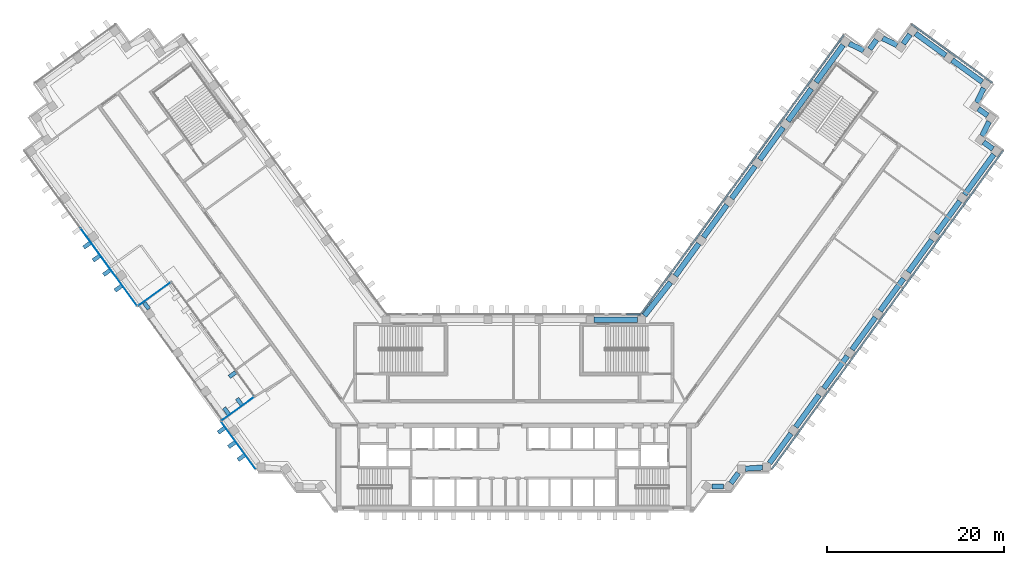
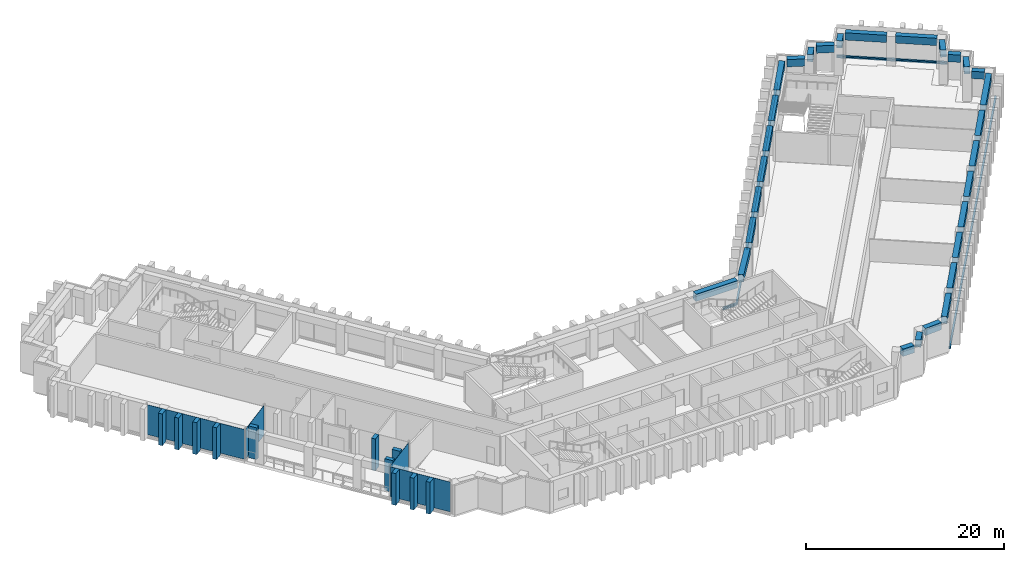
"""IFC4 building model written with IfcOpenShell, lengths in metres."""

from ifc_helpers import new_model, si_unit, direction, frame, origin, origin_2d, place, context, subcontext, project, spatial, rectangle, extrude, material, layer, layer_set, material_profile, profile_set, type_object, element, aggregate, save


model = new_model("IFC4")

# Units and contexts
model_context = context("Model", 3, precision=1e-05, world=origin(), true_north=direction((0.0, 1.0)))
body_context = subcontext(model_context, "Body", "Model", "MODEL_VIEW")
ifc_project = project(units=[si_unit("LENGTHUNIT", "METRE"), si_unit("AREAUNIT", "SQUARE_METRE"), si_unit("VOLUMEUNIT", "CUBIC_METRE"), si_unit("PLANEANGLEUNIT", "RADIAN"), si_unit("MASSUNIT", "GRAM", prefix="KILO")], contexts=[model_context])

# Site, building, storey
site_placement = place(None, origin())
site = spatial("IfcSite", under=ifc_project, at=site_placement, CompositionType="ELEMENT")
building_placement = place(site_placement, origin())
building = spatial("IfcBuilding", under=site, at=building_placement, Name="Quipu Civic Tower", CompositionType="ELEMENT")
storey_1_placement = place(building_placement, frame((0.0, 0.0, 55.0)))
storey_1 = spatial("IfcBuildingStorey", under=building, at=storey_1_placement, Name="L12", CompositionType="ELEMENT", Elevation=55.0)

# Beams
ifc_material_1 = material(Name="Concrete C50/60", Category="concrete")
ifc_material_profile_1 = material_profile(ifc_material_1, rectangle(XDim=0.60009765625, YDim=0.89990234375, at=origin_2d()), Name="RC600x900")
ifc_profile_set_1 = profile_set([ifc_material_profile_1], Name="Concrete C50/60")
beam_type = type_object("IfcBeamType", Name="Spandrel beam RC 600x900 C50/60", PredefinedType="SPANDREL", material=ifc_profile_set_1)
beam_1_placement = place(storey_1_placement, frame((22.34814453125, -8.31494140625, 3.199951171875), z_axis=(1.0, 0.0, 0.0), x_axis=(0.0, 1.0, 0.0)))
element("IfcBeam", 1, at=beam_1_placement, inside=storey_1, type_object=beam_type, Name="Spandrel beam L12 J-Eo.1 to J-Eo.2", PredefinedType="SPANDREL", context=body_context, shape_type="SweptSolid", body=[
    extrude(rectangle(XDim=0.60009765625, YDim=0.89990234375, at=origin_2d()), origin(), (0.0, 0.0, 1.0), 1.33056640625),
])
beam_2_placement = place(storey_1_placement, frame((24.499755859375, -7.951171875, 3.199951171875), z_axis=(0.588433824377, 0.808545381738, 0.0), x_axis=(-0.808545381738, 0.588433824377, 0.0)))
element("IfcBeam", 2, at=beam_2_placement, inside=storey_1, type_object=beam_type, Name="Spandrel beam L12 J-Eo.2 to J-Eo.3", PredefinedType="SPANDREL", context=body_context, shape_type="SweptSolid", body=[
    extrude(rectangle(XDim=0.60009765625, YDim=0.89990234375, at=origin_2d()), origin(), (0.0, 0.0, 1.0), 1.439697265625),
])
beam_3_placement = place(storey_1_placement, frame((26.12451171875, -6.304443359375, 3.199951171875), z_axis=(0.997365981169, 0.072533437859, 0.0), x_axis=(-0.072533437859, 0.997365981169, 0.0)))
element("IfcBeam", 3, at=beam_3_placement, inside=storey_1, type_object=beam_type, Name="Spandrel beam L12 J-Eo.3 to J-Eo.4", PredefinedType="SPANDREL", context=body_context, shape_type="SweptSolid", body=[
    extrude(rectangle(XDim=0.60009765625, YDim=0.89990234375, at=origin_2d()), origin(), (0.0, 0.0, 1.0), 1.95556640625),
])
beam_4_placement = place(storey_1_placement, frame((28.85205078125, -5.679931640625, 3.199951171875), z_axis=(0.587750565781, 0.809042194464, 0.0), x_axis=(-0.809042194464, 0.587750565781, 0.0)))
element("IfcBeam", 4, at=beam_4_placement, inside=storey_1, type_object=beam_type, Name="Spandrel beam L12 J-Eo.4 to E-OUT-01", PredefinedType="SPANDREL", context=body_context, shape_type="SweptSolid", body=[
    extrude(rectangle(XDim=0.60009765625, YDim=0.89990234375, at=origin_2d()), origin(), (0.0, 0.0, 1.0), 4.13720703125),
])
beam_5_placement = place(storey_1_placement, frame((31.812744140625, -1.604736328125, 3.199951171875), z_axis=(0.587778073121, 0.809022210299, 0.0), x_axis=(-0.809022210299, 0.587778073121, 0.0)))
element("IfcBeam", 5, at=beam_5_placement, inside=storey_1, type_object=beam_type, Name="Spandrel beam L12 E-OUT-01 to E-OUT-02", PredefinedType="SPANDREL", context=body_context, shape_type="SweptSolid", body=[
    extrude(rectangle(XDim=0.60009765625, YDim=0.89990234375, at=origin_2d()), origin(), (0.0, 0.0, 1.0), 4.5),
])
beam_6_placement = place(storey_1_placement, frame((34.98681640625, 2.76416015625, 3.199951171875), z_axis=(0.587803872688, 0.809003465539, 0.0), x_axis=(-0.809003465539, 0.587803872688, 0.0)))
element("IfcBeam", 6, at=beam_6_placement, inside=storey_1, type_object=beam_type, Name="Spandrel beam L12 E-OUT-02 to E-OUT-03", PredefinedType="SPANDREL", context=body_context, shape_type="SweptSolid", body=[
    extrude(rectangle(XDim=0.60009765625, YDim=0.89990234375, at=origin_2d()), origin(), (0.0, 0.0, 1.0), 4.499755859375),
])
for number, where, z_axis, x_axis, name in (
    (7, (38.160888671875, 7.1328125, 3.199951171875), (0.587778073121, 0.809022210299, 0.0), (-0.809022210299, 0.587778073121, 0.0), "Spandrel beam L12 E-OUT-03 to E-OUT-04"),
    (8, (41.3349609375, 11.50146484375, 3.199951171875), (0.587778073121, 0.809022210299, 0.0), (-0.809022210299, 0.587778073121, 0.0), "Spandrel beam L12 E-OUT-04 to E-OUT-05"),
):
    element("IfcBeam", number, at=place(storey_1_placement, frame(where, z_axis=z_axis, x_axis=x_axis)), inside=storey_1, type_object=beam_type, Name=name, PredefinedType="SPANDREL", context=body_context, shape_type="SweptSolid", body=[
        extrude(rectangle(XDim=0.60009765625, YDim=0.89990234375, at=origin_2d()), origin(), (0.0, 0.0, 1.0), 4.5),
    ])
beam_7_placement = place(storey_1_placement, frame((44.5087890625, 15.870361328125, 3.199951171875), z_axis=(0.587803872688, 0.809003465539, 0.0), x_axis=(-0.809003465539, 0.587803872688, 0.0)))
element("IfcBeam", 9, at=beam_7_placement, inside=storey_1, type_object=beam_type, Name="Spandrel beam L12 E-OUT-05 to E-OUT-06", PredefinedType="SPANDREL", context=body_context, shape_type="SweptSolid", body=[
    extrude(rectangle(XDim=0.60009765625, YDim=0.89990234375, at=origin_2d()), origin(), (0.0, 0.0, 1.0), 4.499755859375),
])
beam_8_placement = place(storey_1_placement, frame((47.682861328125, 20.23876953125, 3.199951171875), z_axis=(0.587778073121, 0.809022210299, 0.0), x_axis=(-0.809022210299, 0.587778073121, 0.0)))
element("IfcBeam", 10, at=beam_8_placement, inside=storey_1, type_object=beam_type, Name="Spandrel beam L12 E-OUT-06 to E-OUT-07", PredefinedType="SPANDREL", context=body_context, shape_type="SweptSolid", body=[
    extrude(rectangle(XDim=0.60009765625, YDim=0.89990234375, at=origin_2d()), origin(), (0.0, 0.0, 1.0), 4.5),
])
beam_9_placement = place(storey_1_placement, frame((50.85693359375, 24.607666015625, 3.199951171875), z_axis=(0.587772657145, 0.809026145135, 0.0), x_axis=(-0.809026145135, 0.587772657145, 0.0)))
element("IfcBeam", 11, at=beam_9_placement, inside=storey_1, type_object=beam_type, Name="Spandrel beam L12 E-OUT-07 to T-Eo.0-E50", PredefinedType="SPANDREL", context=body_context, shape_type="SweptSolid", body=[
    extrude(rectangle(XDim=0.60009765625, YDim=0.89990234375, at=origin_2d()), origin(), (0.0, 0.0, 1.0), 5.603271484375),
])
beam_10_placement = place(storey_1_placement, frame((54.051025390625, 29.769775390625, 3.199951171875), z_axis=(-0.808549242423, 0.588428519514, 0.0), x_axis=(-0.588428519514, -0.808549242423, 0.0)))
element("IfcBeam", 12, at=beam_10_placement, inside=storey_1, type_object=beam_type, Name="Spandrel beam L12 T-Eo.0-E50 to T-Eo.1-E50", PredefinedType="SPANDREL", context=body_context, shape_type="SweptSolid", body=[
    extrude(rectangle(XDim=0.60009765625, YDim=0.89990234375, at=origin_2d()), origin(), (0.0, 0.0, 1.0), 1.2998046875),
])
beam_11_placement = place(storey_1_placement, frame((52.83349609375, 31.21240234375, 3.199951171875), z_axis=(0.431446050156, 0.902138739776, 0.0), x_axis=(-0.902138739776, 0.431446050156, 0.0)))
element("IfcBeam", 13, at=beam_11_placement, inside=storey_1, type_object=beam_type, Name="Spandrel beam L12 T-Eo.1-E50 to T-Eo.2-E50", PredefinedType="SPANDREL", context=body_context, shape_type="SweptSolid", body=[
    extrude(rectangle(XDim=0.60009765625, YDim=0.89990234375, at=origin_2d()), origin(), (0.0, 0.0, 1.0), 1.828857421875),
])
beam_12_placement = place(storey_1_placement, frame((53.4560546875, 33.539794921875, 3.199951171875), z_axis=(-0.808509099783, 0.588483674853, 0.0), x_axis=(-0.588483674853, -0.808509099783, 0.0)))
element("IfcBeam", 14, at=beam_12_placement, inside=storey_1, type_object=beam_type, Name="Spandrel beam L12 T-Eo.2-E50 to T-Eo.3-E50", PredefinedType="SPANDREL", context=body_context, shape_type="SweptSolid", body=[
    extrude(rectangle(XDim=0.60009765625, YDim=0.89990234375, at=origin_2d()), origin(), (0.0, 0.0, 1.0), 1.302734375),
])
beam_13_placement = place(storey_1_placement, frame((52.23583984375, 34.984375, 3.199951171875), z_axis=(0.430166558323, 0.902749540072, 0.0), x_axis=(-0.902749540072, 0.430166558323, 0.0)))
element("IfcBeam", 15, at=beam_13_placement, inside=storey_1, type_object=beam_type, Name="Spandrel beam L12 T-Eo.3-E50 to T-Eo.4-E50", PredefinedType="SPANDREL", context=body_context, shape_type="SweptSolid", body=[
    extrude(rectangle(XDim=0.60009765625, YDim=0.89990234375, at=origin_2d()), origin(), (0.0, 0.0, 1.0), 1.830322265625),
])
beam_14_placement = place(storey_1_placement, frame((52.85595703125, 37.314453125, 3.199951171875), z_axis=(-0.808959834407, 0.587863918196, 0.0), x_axis=(-0.587863918196, -0.808959834407, 0.0)))
element("IfcBeam", 16, at=beam_14_placement, inside=storey_1, type_object=beam_type, Name="Spandrel beam L12 T-Eo.4-E50 to TIP-E-01-E50", PredefinedType="SPANDREL", context=body_context, shape_type="SweptSolid", body=[
    extrude(rectangle(XDim=0.60009765625, YDim=0.89990234375, at=origin_2d()), origin(), (0.0, 0.0, 1.0), 4.1982421875),
])
beam_15_placement = place(storey_1_placement, frame((48.731689453125, 40.3115234375, 3.199951171875), z_axis=(-0.808969789945, 0.58785021813, 0.0), x_axis=(-0.58785021813, -0.808969789945, 0.0)))
element("IfcBeam", 17, at=beam_15_placement, inside=storey_1, type_object=beam_type, Name="Spandrel beam L12 TIP-E-01-E50 to T-Ei.0-E50", PredefinedType="SPANDREL", context=body_context, shape_type="SweptSolid", body=[
    extrude(rectangle(XDim=0.60009765625, YDim=0.89990234375, at=origin_2d()), origin(), (0.0, 0.0, 1.0), 4.199951171875),
])
beam_16_placement = place(storey_1_placement, frame((44.705322265625, 42.68115234375, 3.199951171875), z_axis=(-0.588383572423, -0.808581951136, 0.0), x_axis=(0.808581951136, -0.588383572423, 0.0)))
element("IfcBeam", 18, at=beam_16_placement, inside=storey_1, type_object=beam_type, Name="Spandrel beam L12 T-Ei.0-E50 to T-Ei.1-E50", PredefinedType="SPANDREL", context=body_context, shape_type="SweptSolid", body=[
    extrude(rectangle(XDim=0.60009765625, YDim=0.89990234375, at=origin_2d()), origin(), (0.0, 0.0, 1.0), 1.3017578125),
])
beam_17_placement = place(storey_1_placement, frame((43.261474609375, 41.4619140625, 3.199951171875), z_axis=(-0.902613270121, 0.430452418511, 0.0), x_axis=(-0.430452418511, -0.902613270121, 0.0)))
element("IfcBeam", 19, at=beam_17_placement, inside=storey_1, type_object=beam_type, Name="Spandrel beam L12 T-Ei.1-E50 to T-Ei.2-E50", PredefinedType="SPANDREL", context=body_context, shape_type="SweptSolid", body=[
    extrude(rectangle(XDim=0.60009765625, YDim=0.89990234375, at=origin_2d()), origin(), (0.0, 0.0, 1.0), 1.826416015625),
])
beam_18_placement = place(storey_1_placement, frame((40.935302734375, 42.0810546875, 3.199951171875), z_axis=(-0.588461937499, -0.808524921146, 0.0), x_axis=(0.808524921146, -0.588461937499, 0.0)))
element("IfcBeam", 20, at=beam_18_placement, inside=storey_1, type_object=beam_type, Name="Spandrel beam L12 T-Ei.2-E50 to T-Ei.3-E50", PredefinedType="SPANDREL", context=body_context, shape_type="SweptSolid", body=[
    extrude(rectangle(XDim=0.60009765625, YDim=0.89990234375, at=origin_2d()), origin(), (0.0, 0.0, 1.0), 1.30029296875),
])
beam_19_placement = place(storey_1_placement, frame((39.492431640625, 40.863037109375, 3.199951171875), z_axis=(-0.90245397739, 0.430786279601, 0.0), x_axis=(-0.430786279601, -0.90245397739, 0.0)))
element("IfcBeam", 21, at=beam_19_placement, inside=storey_1, type_object=beam_type, Name="Spandrel beam L12 T-Ei.3-E50 to T-Ei.4-E50", PredefinedType="SPANDREL", context=body_context, shape_type="SweptSolid", body=[
    extrude(rectangle(XDim=0.60009765625, YDim=0.89990234375, at=origin_2d()), origin(), (0.0, 0.0, 1.0), 1.83349609375),
])
beam_20_placement = place(storey_1_placement, frame((37.160400390625, 41.48583984375, 3.199951171875), z_axis=(-0.587732861365, -0.80905505602, 0.0), x_axis=(0.80905505602, -0.587732861365, 0.0)))
element("IfcBeam", 22, at=beam_20_placement, inside=storey_1, type_object=beam_type, Name="Spandrel beam L12 T-Ei.4-E50 to E-IN-06", PredefinedType="SPANDREL", context=body_context, shape_type="SweptSolid", body=[
    extrude(rectangle(XDim=0.60009765625, YDim=0.89990234375, at=origin_2d()), origin(), (0.0, 0.0, 1.0), 5.194580078125),
])
for number, where, z_axis, x_axis, name in (
    (23, (33.578369140625, 36.55517578125, 3.199951171875), (-0.587716763865, -0.809066749701, 0.0), (0.809066749701, -0.587716763865, 0.0), "Spandrel beam L12 E-IN-06 to E-IN-05"),
    (24, (30.404541015625, 32.186279296875, 3.199951171875), (-0.587742561851, -0.809048009076, 0.0), (0.809048009076, -0.587742561851, 0.0), "Spandrel beam L12 E-IN-05 to E-IN-04"),
    (25, (27.230712890625, 27.8173828125, 3.199951171875), (-0.587778073121, -0.809022210299, 0.0), (0.809022210299, -0.587778073121, 0.0), "Spandrel beam L12 E-IN-04 to E-IN-03"),
    (26, (24.056884765625, 23.448486328125, 3.199951171875), (-0.587778073121, -0.809022210299, 0.0), (0.809022210299, -0.587778073121, 0.0), "Spandrel beam L12 E-IN-03 to E-IN-02"),
    (27, (20.8828125, 19.079833984375, 3.199951171875), (-0.587716763865, -0.809066749701, 0.0), (0.809066749701, -0.587716763865, 0.0), "Spandrel beam L12 E-IN-02 to E-IN-01"),
):
    element("IfcBeam", number, at=place(storey_1_placement, frame(where, z_axis=z_axis, x_axis=x_axis)), inside=storey_1, type_object=beam_type, Name=name, PredefinedType="SPANDREL", context=body_context, shape_type="SweptSolid", body=[
        extrude(rectangle(XDim=0.60009765625, YDim=0.89990234375, at=origin_2d()), origin(), (0.0, 0.0, 1.0), 4.5),
    ])
beam_21_placement = place(storey_1_placement, frame((17.6962890625, 14.72021484375, 3.199951171875), z_axis=(-0.616123961998, -0.787649200756, 0.0), x_axis=(0.787649200756, -0.616123961998, 0.0)))
element("IfcBeam", 28, at=beam_21_placement, inside=storey_1, type_object=beam_type, Name="Spandrel beam L12 E-IN-01 to J-Ei.0", PredefinedType="SPANDREL", context=body_context, shape_type="SweptSolid", body=[
    extrude(rectangle(XDim=0.60009765625, YDim=0.89990234375, at=origin_2d()), origin(), (0.0, 0.0, 1.0), 4.78662109375),
])
beam_22_placement = place(storey_1_placement, frame((13.9453125, 10.5, 3.199951171875), z_axis=(-1.0, 0.0, 0.0), x_axis=(0.0, -1.0, 0.0)))
element("IfcBeam", 29, at=beam_22_placement, inside=storey_1, type_object=beam_type, Name="Spandrel beam L12 J-Ei.0 to FRONT-01", PredefinedType="SPANDREL", context=body_context, shape_type="SweptSolid", body=[
    extrude(rectangle(XDim=0.60009765625, YDim=0.89990234375, at=origin_2d()), origin(), (0.0, 0.0, 1.0), 4.858154296875),
])

# Storey
storey_2_placement = place(building_placement, frame((0.0, 0.0, 47.0)))
storey_2 = spatial("IfcBuildingStorey", under=building, at=storey_2_placement, Name="L10", CompositionType="ELEMENT", Elevation=47.0)

# Curtain wall, members
ifc_material_2 = material(Name="Insulated glass unit", Category="glass")
curtain_wall_type = type_object("IfcCurtainWallType", Name="Office curtain wall CW1", PredefinedType="NOTDEFINED", material=ifc_material_2)
curtain_wall_1_placement = place(storey_2_placement, origin())
curtain_wall_1 = element("IfcCurtainWall", 30, at=curtain_wall_1_placement, inside=storey_2, type_object=curtain_wall_type, Name="Office curtain wall CW1 L09 run 19", PredefinedType="NOTDEFINED")
ifc_material_3 = material(Name="Anodised aluminium", Category="aluminium")
ifc_material_profile_2 = material_profile(ifc_material_3, rectangle(XDim=0.199951171875, YDim=0.159912109375, at=origin_2d()), Name="RECT 200x160")
ifc_profile_set_2 = profile_set([ifc_material_profile_2], Name="Anodised aluminium")
member_type = type_object("IfcMemberType", Name="Transom CW1", PredefinedType="USERDEFINED", material=ifc_profile_set_2)
member_1_placement = place(storey_1_placement, frame((29.10302734375, -6.35546875, 0.0), z_axis=(0.587779179422, 0.809021406539, 0.0), x_axis=(-0.809021406539, 0.587779179422, 0.0)))
member_1 = element("IfcMember", 31, at=member_1_placement, inside=storey_1, type_object=member_type, Name="CW1 transom 1.4", ObjectType="TRANSOM", PredefinedType="USERDEFINED", context=body_context, shape_type="SweptSolid", body=[
    extrude(rectangle(XDim=0.199951171875, YDim=0.159912109375, at=origin_2d()), origin(), (0.0, 0.0, 1.0), 11.02294921875),
])
member_2_placement = place(storey_1_placement, frame((35.62890625, 2.626953125, 0.0), z_axis=(0.587795037589, 0.80900988485, 0.0), x_axis=(-0.80900988485, 0.587795037589, 0.0)))
member_2 = element("IfcMember", 32, at=member_2_placement, inside=storey_1, type_object=member_type, Name="CW1 transom 2.4", ObjectType="TRANSOM", PredefinedType="USERDEFINED", context=body_context, shape_type="SweptSolid", body=[
    extrude(rectangle(XDim=0.199951171875, YDim=0.159912109375, at=origin_2d()), origin(), (0.0, 0.0, 1.0), 11.062744140625),
])
member_3_placement = place(storey_1_placement, frame((42.178466796875, 11.6416015625, 0.0), z_axis=(0.587795037589, 0.80900988485, 0.0), x_axis=(-0.80900988485, 0.587795037589, 0.0)))
member_3 = element("IfcMember", 33, at=member_3_placement, inside=storey_1, type_object=member_type, Name="CW1 transom 3.4", ObjectType="TRANSOM", PredefinedType="USERDEFINED", context=body_context, shape_type="SweptSolid", body=[
    extrude(rectangle(XDim=0.199951171875, YDim=0.159912109375, at=origin_2d()), origin(), (0.0, 0.0, 1.0), 11.062744140625),
])
member_4_placement = place(storey_1_placement, frame((48.72802734375, 20.65625, 0.0), z_axis=(0.587779179422, 0.809021406539, 0.0), x_axis=(-0.809021406539, 0.587779179422, 0.0)))
member_4 = element("IfcMember", 34, at=member_4_placement, inside=storey_1, type_object=member_type, Name="CW1 transom 4.4", ObjectType="TRANSOM", PredefinedType="USERDEFINED", context=body_context, shape_type="SweptSolid", body=[
    extrude(rectangle(XDim=0.199951171875, YDim=0.159912109375, at=origin_2d()), origin(), (0.0, 0.0, 1.0), 11.02294921875),
])
aggregate(curtain_wall_1, [member_1, member_2, member_3, member_4])

# Curtain wall, member
curtain_wall_2_placement = place(storey_2_placement, origin())
curtain_wall_2 = element("IfcCurtainWall", 35, at=curtain_wall_2_placement, inside=storey_2, type_object=curtain_wall_type, Name="Office curtain wall CW1 L09 run 24", PredefinedType="NOTDEFINED")
member_5_placement = place(storey_1_placement, frame((53.994873046875, 37.228515625, 0.0), z_axis=(-0.809032792449, 0.587763507495, 0.0), x_axis=(-0.587763507495, -0.809032792449, 0.0)))
member_5 = element("IfcMember", 36, at=member_5_placement, inside=storey_1, type_object=member_type, Name="CW1 transom 1.4", ObjectType="TRANSOM", PredefinedType="USERDEFINED", context=body_context, shape_type="SweptSolid", body=[
    extrude(rectangle(XDim=0.199951171875, YDim=0.159912109375, at=origin_2d()), origin(), (0.0, 0.0, 1.0), 11.239990234375),
])
aggregate(curtain_wall_2, [member_5])

# Curtain wall, members
curtain_wall_3_placement = place(storey_2_placement, origin())
curtain_wall_3 = element("IfcCurtainWall", 37, at=curtain_wall_3_placement, inside=storey_2, type_object=curtain_wall_type, Name="Office curtain wall CW1 L09 run 29", PredefinedType="NOTDEFINED")
member_6_placement = place(storey_1_placement, frame((37.246826171875, 42.622802734375, 0.0), z_axis=(-0.587775627857, -0.809023986849, 0.0), x_axis=(0.809023986849, -0.587775627857, 0.0)))
member_6 = element("IfcMember", 38, at=member_6_placement, inside=storey_1, type_object=member_type, Name="CW1 transom 1.4", ObjectType="TRANSOM", PredefinedType="USERDEFINED", context=body_context, shape_type="SweptSolid", body=[
    extrude(rectangle(XDim=0.199951171875, YDim=0.159912109375, at=origin_2d()), origin(), (0.0, 0.0, 1.0), 9.64111328125),
])
member_7_placement = place(storey_1_placement, frame((31.532958984375, 34.75830078125, 0.0), z_axis=(-0.58778177227, -0.809019522748, 0.0), x_axis=(0.809019522748, -0.58778177227, 0.0)))
member_7 = element("IfcMember", 39, at=member_7_placement, inside=storey_1, type_object=member_type, Name="CW1 transom 2.4", ObjectType="TRANSOM", PredefinedType="USERDEFINED", context=body_context, shape_type="SweptSolid", body=[
    extrude(rectangle(XDim=0.199951171875, YDim=0.159912109375, at=origin_2d()), origin(), (0.0, 0.0, 1.0), 9.68115234375),
])
member_8_placement = place(storey_1_placement, frame((25.795654296875, 26.861328125, 0.0), z_axis=(-0.587793764301, -0.80901080997, 0.0), x_axis=(0.80901080997, -0.587793764301, 0.0)))
member_8 = element("IfcMember", 40, at=member_8_placement, inside=storey_1, type_object=member_type, Name="CW1 transom 3.4", ObjectType="TRANSOM", PredefinedType="USERDEFINED", context=body_context, shape_type="SweptSolid", body=[
    extrude(rectangle(XDim=0.199951171875, YDim=0.159912109375, at=origin_2d()), origin(), (0.0, 0.0, 1.0), 9.680908203125),
])
member_9_placement = place(storey_1_placement, frame((20.05810546875, 18.964599609375, 0.0), z_axis=(-0.58779220199, -0.809011945079, 0.0), x_axis=(0.809011945079, -0.58779220199, 0.0)))
member_9 = element("IfcMember", 41, at=member_9_placement, inside=storey_1, type_object=member_type, Name="CW1 transom 4.4", ObjectType="TRANSOM", PredefinedType="USERDEFINED", context=body_context, shape_type="SweptSolid", body=[
    extrude(rectangle(XDim=0.199951171875, YDim=0.159912109375, at=origin_2d()), origin(), (0.0, 0.0, 1.0), 9.64111328125),
])
aggregate(curtain_wall_3, [member_6, member_7, member_8, member_9])

# Curtain wall, member
curtain_wall_4_placement = place(storey_2_placement, origin())
curtain_wall_4 = element("IfcCurtainWall", 42, at=curtain_wall_4_placement, inside=storey_2, type_object=curtain_wall_type, Name="Office curtain wall CW1 L09 run 30", PredefinedType="NOTDEFINED")
member_10_placement = place(storey_1_placement, frame((14.26416015625, 11.10009765625, 0.0), z_axis=(-1.0, 0.0, 0.0), x_axis=(0.0, -1.0, 0.0)))
member_10 = element("IfcMember", 43, at=member_10_placement, inside=storey_1, type_object=member_type, Name="CW1 transom 1.4", ObjectType="TRANSOM", PredefinedType="USERDEFINED", context=body_context, shape_type="SweptSolid", body=[
    extrude(rectangle(XDim=0.199951171875, YDim=0.159912109375, at=origin_2d()), origin(), (0.0, 0.0, 1.0), 1.529052734375),
])
aggregate(curtain_wall_4, [member_10])

# Storey
storey_3_placement = place(building_placement, frame((0.0, 0.0, 59.0)))
storey_3 = spatial("IfcBuildingStorey", under=building, at=storey_3_placement, Name="L13", CompositionType="ELEMENT", Elevation=59.0)

# Curtain wall, members
curtain_wall_5_placement = place(storey_3_placement, origin())
curtain_wall_5 = element("IfcCurtainWall", 44, at=curtain_wall_5_placement, inside=storey_3, type_object=curtain_wall_type, Name="Office curtain wall CW1 L12 run 26", PredefinedType="NOTDEFINED")
member_11_placement = place(storey_1_placement, frame((29.10302734375, -6.35546875, 0.159912109375), z_axis=(0.587779179422, 0.809021406539, 0.0), x_axis=(-0.809021406539, 0.587779179422, 0.0)))
member_11 = element("IfcMember", 45, at=member_11_placement, inside=storey_1, type_object=member_type, Name="CW1 transom 1.1", ObjectType="TRANSOM", PredefinedType="USERDEFINED", context=body_context, shape_type="SweptSolid", body=[
    extrude(rectangle(XDim=0.199951171875, YDim=0.159912109375, at=origin_2d()), origin(), (0.0, 0.0, 1.0), 11.02294921875),
])
member_12_placement = place(storey_1_placement, frame((35.62890625, 2.626953125, 0.159912109375), z_axis=(0.587795037589, 0.80900988485, 0.0), x_axis=(-0.80900988485, 0.587795037589, 0.0)))
member_12 = element("IfcMember", 46, at=member_12_placement, inside=storey_1, type_object=member_type, Name="CW1 transom 2.1", ObjectType="TRANSOM", PredefinedType="USERDEFINED", context=body_context, shape_type="SweptSolid", body=[
    extrude(rectangle(XDim=0.199951171875, YDim=0.159912109375, at=origin_2d()), origin(), (0.0, 0.0, 1.0), 11.062744140625),
])
member_13_placement = place(storey_1_placement, frame((42.178466796875, 11.6416015625, 0.159912109375), z_axis=(0.587795037589, 0.80900988485, 0.0), x_axis=(-0.80900988485, 0.587795037589, 0.0)))
member_13 = element("IfcMember", 47, at=member_13_placement, inside=storey_1, type_object=member_type, Name="CW1 transom 3.1", ObjectType="TRANSOM", PredefinedType="USERDEFINED", context=body_context, shape_type="SweptSolid", body=[
    extrude(rectangle(XDim=0.199951171875, YDim=0.159912109375, at=origin_2d()), origin(), (0.0, 0.0, 1.0), 11.062744140625),
])
member_14_placement = place(storey_1_placement, frame((48.72802734375, 20.65625, 0.159912109375), z_axis=(0.587779179422, 0.809021406539, 0.0), x_axis=(-0.809021406539, 0.587779179422, 0.0)))
member_14 = element("IfcMember", 48, at=member_14_placement, inside=storey_1, type_object=member_type, Name="CW1 transom 4.1", ObjectType="TRANSOM", PredefinedType="USERDEFINED", context=body_context, shape_type="SweptSolid", body=[
    extrude(rectangle(XDim=0.199951171875, YDim=0.159912109375, at=origin_2d()), origin(), (0.0, 0.0, 1.0), 11.02294921875),
])
aggregate(curtain_wall_5, [member_11, member_12, member_13, member_14])

# Curtain wall, member
curtain_wall_6_placement = place(storey_3_placement, origin())
curtain_wall_6 = element("IfcCurtainWall", 49, at=curtain_wall_6_placement, inside=storey_3, type_object=curtain_wall_type, Name="Office curtain wall CW1 L12 run 31", PredefinedType="NOTDEFINED")
member_15_placement = place(storey_1_placement, frame((53.994873046875, 37.228515625, 0.159912109375), z_axis=(-0.809032792449, 0.587763507495, 0.0), x_axis=(-0.587763507495, -0.809032792449, 0.0)))
member_15 = element("IfcMember", 50, at=member_15_placement, inside=storey_1, type_object=member_type, Name="CW1 transom 1.1", ObjectType="TRANSOM", PredefinedType="USERDEFINED", context=body_context, shape_type="SweptSolid", body=[
    extrude(rectangle(XDim=0.199951171875, YDim=0.159912109375, at=origin_2d()), origin(), (0.0, 0.0, 1.0), 11.239990234375),
])
aggregate(curtain_wall_6, [member_15])

# Curtain wall, members
curtain_wall_7_placement = place(storey_3_placement, origin())
curtain_wall_7 = element("IfcCurtainWall", 51, at=curtain_wall_7_placement, inside=storey_3, type_object=curtain_wall_type, Name="Office curtain wall CW1 L12 run 36", PredefinedType="NOTDEFINED")
member_16_placement = place(storey_1_placement, frame((37.246826171875, 42.622802734375, 0.159912109375), z_axis=(-0.587775627857, -0.809023986849, 0.0), x_axis=(0.809023986849, -0.587775627857, 0.0)))
member_16 = element("IfcMember", 52, at=member_16_placement, inside=storey_1, type_object=member_type, Name="CW1 transom 1.1", ObjectType="TRANSOM", PredefinedType="USERDEFINED", context=body_context, shape_type="SweptSolid", body=[
    extrude(rectangle(XDim=0.199951171875, YDim=0.159912109375, at=origin_2d()), origin(), (0.0, 0.0, 1.0), 9.64111328125),
])
member_17_placement = place(storey_1_placement, frame((31.532958984375, 34.75830078125, 0.159912109375), z_axis=(-0.58778177227, -0.809019522748, 0.0), x_axis=(0.809019522748, -0.58778177227, 0.0)))
member_17 = element("IfcMember", 53, at=member_17_placement, inside=storey_1, type_object=member_type, Name="CW1 transom 2.1", ObjectType="TRANSOM", PredefinedType="USERDEFINED", context=body_context, shape_type="SweptSolid", body=[
    extrude(rectangle(XDim=0.199951171875, YDim=0.159912109375, at=origin_2d()), origin(), (0.0, 0.0, 1.0), 9.68115234375),
])
member_18_placement = place(storey_1_placement, frame((25.795654296875, 26.861328125, 0.159912109375), z_axis=(-0.587793764301, -0.80901080997, 0.0), x_axis=(0.80901080997, -0.587793764301, 0.0)))
member_18 = element("IfcMember", 54, at=member_18_placement, inside=storey_1, type_object=member_type, Name="CW1 transom 3.1", ObjectType="TRANSOM", PredefinedType="USERDEFINED", context=body_context, shape_type="SweptSolid", body=[
    extrude(rectangle(XDim=0.199951171875, YDim=0.159912109375, at=origin_2d()), origin(), (0.0, 0.0, 1.0), 9.680908203125),
])
member_19_placement = place(storey_1_placement, frame((20.05810546875, 18.964599609375, 0.159912109375), z_axis=(-0.58779220199, -0.809011945079, 0.0), x_axis=(0.809011945079, -0.58779220199, 0.0)))
member_19 = element("IfcMember", 55, at=member_19_placement, inside=storey_1, type_object=member_type, Name="CW1 transom 4.1", ObjectType="TRANSOM", PredefinedType="USERDEFINED", context=body_context, shape_type="SweptSolid", body=[
    extrude(rectangle(XDim=0.199951171875, YDim=0.159912109375, at=origin_2d()), origin(), (0.0, 0.0, 1.0), 9.64111328125),
])
aggregate(curtain_wall_7, [member_16, member_17, member_18, member_19])

# Curtain wall, member
curtain_wall_8_placement = place(storey_3_placement, origin())
curtain_wall_8 = element("IfcCurtainWall", 56, at=curtain_wall_8_placement, inside=storey_3, type_object=curtain_wall_type, Name="Office curtain wall CW1 L12 run 37", PredefinedType="NOTDEFINED")
member_20_placement = place(storey_1_placement, frame((14.26416015625, 11.10009765625, 0.159912109375), z_axis=(-1.0, 0.0, 0.0), x_axis=(0.0, -1.0, 0.0)))
member_20 = element("IfcMember", 57, at=member_20_placement, inside=storey_1, type_object=member_type, Name="CW1 transom 1.1", ObjectType="TRANSOM", PredefinedType="USERDEFINED", context=body_context, shape_type="SweptSolid", body=[
    extrude(rectangle(XDim=0.199951171875, YDim=0.159912109375, at=origin_2d()), origin(), (0.0, 0.0, 1.0), 1.529052734375),
])
aggregate(curtain_wall_8, [member_20])

# Curtain wall, plate
curtain_wall_9_placement = place(storey_1_placement, origin())
curtain_wall_9 = element("IfcCurtainWall", 58, at=curtain_wall_9_placement, inside=storey_1, type_object=curtain_wall_type, Name="Office curtain wall CW1 L12 run 1", PredefinedType="NOTDEFINED")
ifc_material_4 = material(Name="Insulated glass unit", Category="glass")
ifc_layer = layer(ifc_material_4, 0.028076171875)
ifc_layer_set = layer_set([ifc_layer], Name="Insulated glass unit")
plate_type_1 = type_object("IfcPlateType", Name="Glass panel CW1", PredefinedType="CURTAIN_PANEL", material=ifc_layer_set)
plate_1_placement = place(storey_1_placement, frame((-45.655517578125, 16.427490234375, 0.240234375), z_axis=(0.0, 0.0, 1.0), x_axis=(0.587789236529, -0.809014099643, 0.0)))
plate_1 = element("IfcPlate", 59, at=plate_1_placement, type_object=plate_type_1, Name="CW1 panel 2.1", PredefinedType="CURTAIN_PANEL", context=body_context, shape_type="SweptSolid", body=[
    extrude(rectangle(XDim=10.780029296875, YDim=0.028076171875, at=origin_2d()), origin(), (0.0, 0.0, 1.0), 3.679931640625),
])
aggregate(curtain_wall_9, [plate_1])

curtain_wall_10_placement = place(storey_1_placement, origin())
curtain_wall_10 = element("IfcCurtainWall", 60, at=curtain_wall_10_placement, inside=storey_1, type_object=curtain_wall_type, Name="Office curtain wall CW1 L12 run 2", PredefinedType="NOTDEFINED")
plate_2_placement = place(storey_1_placement, frame((-40.533447265625, 13.387451171875, 0.240234375), z_axis=(0.0, 0.0, 1.0), x_axis=(0.809023101849, 0.587776845983, 0.0)))
plate_2 = element("IfcPlate", 61, at=plate_2_placement, type_object=plate_type_1, Name="CW1 panel 1.1", PredefinedType="CURTAIN_PANEL", context=body_context, shape_type="SweptSolid", body=[
    extrude(rectangle(XDim=4.55419921875, YDim=0.028076171875, at=origin_2d()), origin(), (0.0, 0.0, 1.0), 3.679931640625),
])
aggregate(curtain_wall_10, [plate_2])

curtain_wall_11_placement = place(storey_1_placement, origin())
curtain_wall_11 = element("IfcCurtainWall", 62, at=curtain_wall_11_placement, inside=storey_1, type_object=curtain_wall_type, Name="Office curtain wall CW1 L12 run 6", PredefinedType="NOTDEFINED")
plate_3_placement = place(storey_1_placement, frame((-31.12890625, 0.443359375, 0.240234375), z_axis=(0.0, 0.0, 1.0), x_axis=(-0.809013014788, -0.587790729685, 0.0)))
plate_3 = element("IfcPlate", 63, at=plate_3_placement, type_object=plate_type_1, Name="CW1 panel 1.1", PredefinedType="CURTAIN_PANEL", context=body_context, shape_type="SweptSolid", body=[
    extrude(rectangle(XDim=4.55419921875, YDim=0.028076171875, at=origin_2d()), origin(), (0.0, 0.0, 1.0), 3.679931640625),
])
aggregate(curtain_wall_11, [plate_3])

curtain_wall_12_placement = place(storey_1_placement, origin())
curtain_wall_12 = element("IfcCurtainWall", 64, at=curtain_wall_12_placement, inside=storey_1, type_object=curtain_wall_type, Name="Office curtain wall CW1 L12 run 7", PredefinedType="NOTDEFINED")
plate_4_placement = place(storey_1_placement, frame((-31.0458984375, -3.68115234375, 0.240234375), z_axis=(0.0, 0.0, 1.0), x_axis=(0.587782612017, -0.809018912641, 0.0)))
plate_4 = element("IfcPlate", 65, at=plate_4_placement, type_object=plate_type_1, Name="CW1 panel 1.1", PredefinedType="CURTAIN_PANEL", context=body_context, shape_type="SweptSolid", body=[
    extrude(rectangle(XDim=6.611083984375, YDim=0.028076171875, at=origin_2d()), origin(), (0.0, 0.0, 1.0), 3.679931640625),
])
aggregate(curtain_wall_12, [plate_4])

# Plates
ifc_material_5 = material(Name="Precast concrete C40/50", Category="concrete")
plate_type_2 = type_object("IfcPlateType", Name="Precast fin F1", PredefinedType="SHEET", material=ifc_material_5)
for number, where, z_axis, x_axis, name in (
    (66, (-48.13134765625, 18.899169921875, 0.080078125), (0.0, 0.0, 1.0), (0.587787897165, -0.809015072756, 0.0), "Precast fin F1 L12.1.7"),
    (67, (-47.0732421875, 17.443115234375, 0.080078125), (0.0, 0.0, 1.0), (0.587787897165, -0.809015072756, 0.0), "Precast fin F1 L12.1.8"),
    (68, (-45.897705078125, 15.824951171875, 0.080078125), (0.0, 0.0, 1.0), (0.587787897165, -0.809015072756, 0.0), "Precast fin F1 L12.1.9"),
    (69, (-44.6044921875, 14.045166015625, 0.080078125), (0.0, 0.0, 1.0), (0.587787897165, -0.809015072756, 0.0), "Precast fin F1 L12.1.10"),
    (70, (-41.4091796875, 12.071533203125, 0.080078125), (0.0, 0.0, 1.0), (0.809023101849, 0.587776845983, 0.0), "Precast fin F1 L12.2.1"),
    (71, (-31.70947265625, 4.31689453125, 0.080078125), (0.0, 0.0, 1.0), (0.587786610933, -0.809016007263, 0.0), "Precast fin F1 L12.5.2"),
    (72, (-30.940673828125, 1.259765625, 0.080078125), (0.0, 0.0, 1.0), (-0.809013014788, -0.587790729685, 0.0), "Precast fin F1 L12.6.1"),
    (73, (-32.39697265625, 0.201904296875, 0.080078125), (0.0, 0.0, 1.0), (-0.809013014788, -0.587790729685, 0.0), "Precast fin F1 L12.6.2"),
    (74, (-32.96630859375, -1.973388671875, 0.080078125), (0.0, 0.0, 1.0), (0.587783709991, -0.80901811492, 0.0), "Precast fin F1 L12.7.1"),
    (75, (-31.790771484375, -3.59130859375, 0.080078125), (0.0, 0.0, 1.0), (0.587783709991, -0.80901811492, 0.0), "Precast fin F1 L12.7.2"),
    (76, (-30.73291015625, -5.047607421875, 0.080078125), (0.0, 0.0, 1.0), (0.587783709991, -0.80901811492, 0.0), "Precast fin F1 L12.7.3"),
):
    element("IfcPlate", number, at=place(storey_1_placement, frame(where, z_axis=z_axis, x_axis=x_axis)), inside=storey_1, type_object=plate_type_2, Name=name, PredefinedType="SHEET", context=body_context, shape_type="SweptSolid", body=[
        extrude(rectangle(XDim=0.449951171875, YDim=0.89990234375, at=origin_2d()), origin(), (0.0, 0.0, 1.0), 3.919921875),
    ])

save(model, "model.ifc")
